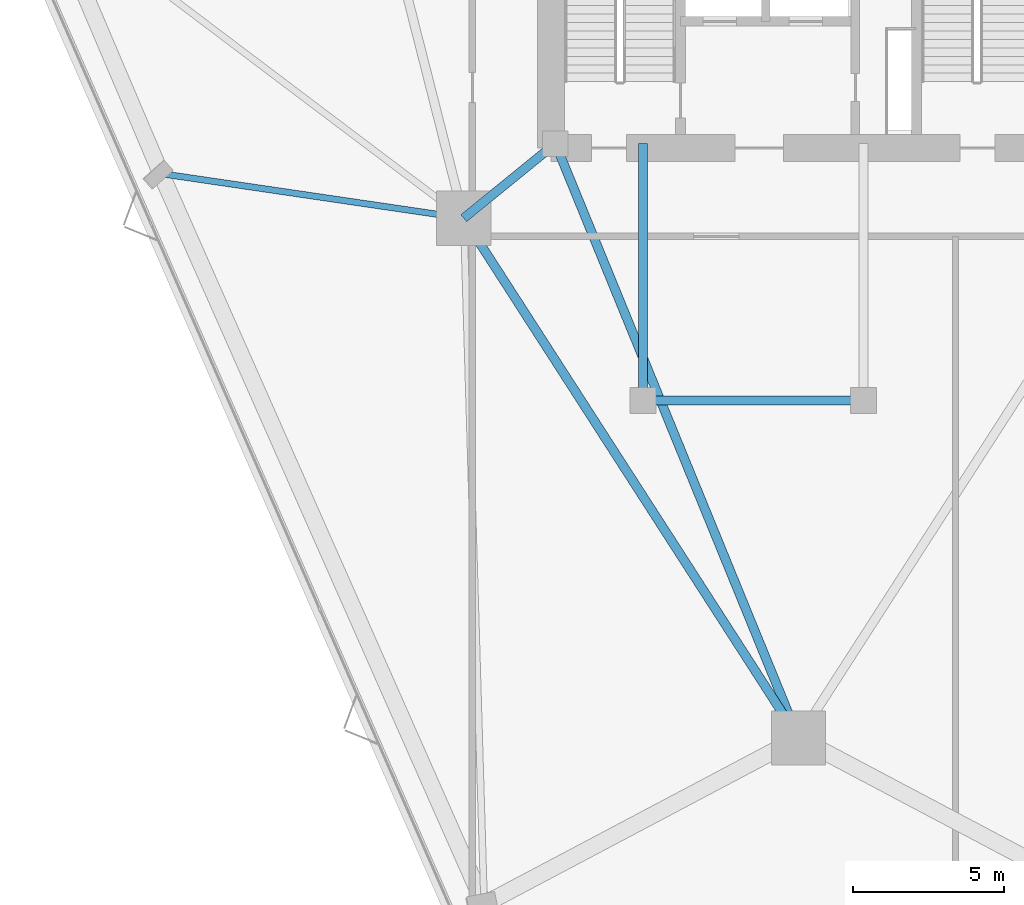
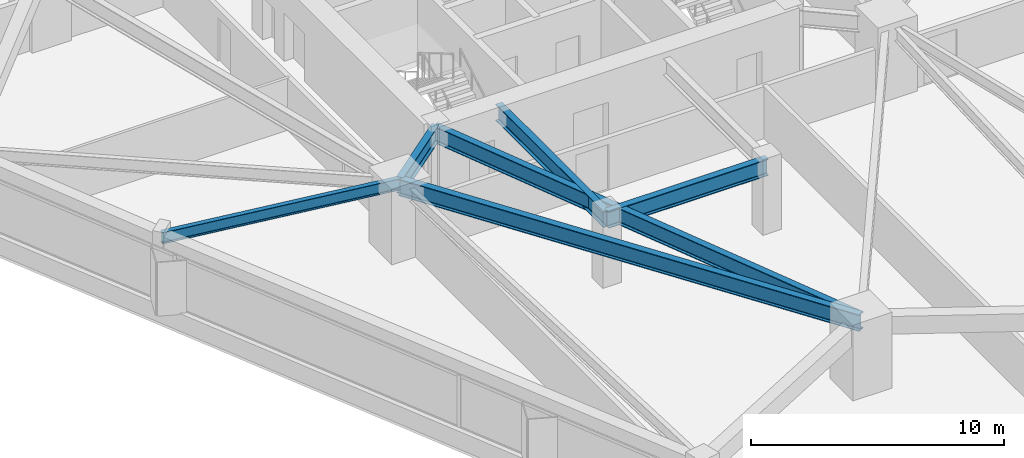
# One storey, part 7 of 21: 6 beams.
"""IFC4 building model written with IfcOpenShell, lengths in metres."""

from ifc_helpers import new_model, si_unit, direction, frame, origin, origin_2d, place, context, subcontext, project, spatial, i_section, extrude, material, material_profile, profile_set, type_object, element, save


model = new_model("IFC4")

# Units and contexts
model_context = context("Model", 3, precision=1e-05, world=origin(), true_north=direction((0.0, 1.0)))
body_context = subcontext(model_context, "Body", "Model", "MODEL_VIEW")
ifc_project = project(units=[si_unit("LENGTHUNIT", "METRE"), si_unit("AREAUNIT", "SQUARE_METRE"), si_unit("VOLUMEUNIT", "CUBIC_METRE"), si_unit("PLANEANGLEUNIT", "RADIAN"), si_unit("MASSUNIT", "GRAM", prefix="KILO")], contexts=[model_context])

# Site, building, storey
site_placement = place(None, origin())
site = spatial("IfcSite", under=ifc_project, at=site_placement, CompositionType="ELEMENT")
building_placement = place(site_placement, origin())
building = spatial("IfcBuilding", under=site, at=building_placement, Name="Talyreon Biosciences Tower", CompositionType="ELEMENT")
storey_placement = place(building_placement, frame((0.0, 0.0, 55.64990234375)))
storey = spatial("IfcBuildingStorey", under=building, at=storey_placement, Name="L14", CompositionType="ELEMENT", Elevation=55.64990234375)

# Beams
ifc_material = material(Name="Steel SM355", Category="steel")
ifc_material_profile_1 = material_profile(ifc_material, i_section(OverallWidth=0.300048828125, OverallDepth=0.800048828125, WebThickness=0.017578125, FlangeThickness=0.032958984375, FilletRadius=0.030029296875, at=origin_2d()), Name="HE800B")
ifc_profile_set_1 = profile_set([ifc_material_profile_1], Name="Steel SM355")
beam_type_1 = type_object("IfcBeamType", Name="SteelGirder_HE800B", PredefinedType="BEAM", material=ifc_profile_set_1)
beam_1_placement = place(storey_placement, frame((54.913818359375, 58.88037109375, 2.97509765625), z_axis=(0.541463723609, -0.840724114092, 0.0), x_axis=(0.840724114092, 0.541463723609, 0.0)))
element("IfcBeam", 1, at=beam_1_placement, inside=storey, type_object=beam_type_1, Name="L14 Mega-Ring Girder 6", PredefinedType="BEAM", context=body_context, shape_type="SweptSolid", body=[
    extrude(i_section(OverallWidth=0.300048828125, OverallDepth=0.800048828125, WebThickness=0.017578125, FlangeThickness=0.032958984375, FilletRadius=0.030029296875, at=origin_2d()), origin(), (0.0, 0.0, 1.0), 20.474365234375),
])
beam_2_placement = place(storey_placement, frame((57.949951171875, 61.35009765625, 2.97509765625), z_axis=(0.378547014545, -0.925582064314, 0.0), x_axis=(0.925582064314, 0.378547014545, 0.0)))
element("IfcBeam", 2, at=beam_2_placement, inside=storey, type_object=beam_type_1, Name="L14 Radial Primary Girder 1", PredefinedType="BEAM", context=body_context, shape_type="SweptSolid", body=[
    extrude(i_section(OverallWidth=0.300048828125, OverallDepth=0.800048828125, WebThickness=0.017578125, FlangeThickness=0.032958984375, FilletRadius=0.030029296875, at=origin_2d()), origin(), (0.0, 0.0, 1.0), 21.265625),
])
beam_3_placement = place(storey_placement, frame((57.949951171875, 61.35009765625, 2.97509765625), z_axis=(-0.775755154013, -0.631034025249, 0.0), x_axis=(0.631034025249, -0.775755154013, 0.0)))
element("IfcBeam", 3, at=beam_3_placement, inside=storey, type_object=beam_type_1, Name="L14 Radial Primary Girder 6", PredefinedType="BEAM", context=body_context, shape_type="SweptSolid", body=[
    extrude(i_section(OverallWidth=0.300048828125, OverallDepth=0.800048828125, WebThickness=0.017578125, FlangeThickness=0.032958984375, FilletRadius=0.030029296875, at=origin_2d()), origin(), (0.0, 0.0, 1.0), 3.913818359375),
])
beam_4_placement = place(storey_placement, frame((60.85009765625, 52.840087890625, 2.97509765625), z_axis=(1.0, 0.0, 0.0), x_axis=(0.0, 1.0, 0.0)))
element("IfcBeam", 4, at=beam_4_placement, inside=storey, type_object=beam_type_1, Name="L14 Crown Shaft Spine Girder S", PredefinedType="BEAM", context=body_context, shape_type="SweptSolid", body=[
    extrude(i_section(OverallWidth=0.300048828125, OverallDepth=0.800048828125, WebThickness=0.017578125, FlangeThickness=0.032958984375, FilletRadius=0.030029296875, at=origin_2d()), origin(), (0.0, 0.0, 1.0), 7.2998046875),
])
beam_5_placement = place(storey_placement, frame((60.85009765625, 52.840087890625, 2.97509765625), z_axis=(0.0, 1.0, 0.0), x_axis=(-1.0, 0.0, 0.0)))
element("IfcBeam", 5, at=beam_5_placement, inside=storey, type_object=beam_type_1, Name="L14 Crown Shaft Tie Girder W", PredefinedType="BEAM", context=body_context, shape_type="SweptSolid", body=[
    extrude(i_section(OverallWidth=0.300048828125, OverallDepth=0.800048828125, WebThickness=0.017578125, FlangeThickness=0.032958984375, FilletRadius=0.030029296875, at=origin_2d()), origin(), (0.0, 0.0, 1.0), 8.510009765625),
])
ifc_material_profile_2 = material_profile(ifc_material, i_section(OverallWidth=0.2099609375, OverallDepth=0.550048828125, WebThickness=0.010986328125, FlangeThickness=0.01708984375, FilletRadius=0.02392578125, at=origin_2d()), Name="IPE550")
ifc_profile_set_2 = profile_set([ifc_material_profile_2], Name="Steel SM355")
beam_type_2 = type_object("IfcBeamType", Name="SteelJoist_IPE550", PredefinedType="JOIST", material=ifc_profile_set_2)
beam_6_placement = place(storey_placement, frame((54.913818359375, 58.88037109375, 3.10009765625), z_axis=(-0.989364338051, 0.14545860783, 0.0), x_axis=(-0.14545860783, -0.989364338051, 0.0)))
element("IfcBeam", 6, at=beam_6_placement, inside=storey, type_object=beam_type_2, Name="L14 Radial Composite Floor Joist PL-SW", PredefinedType="JOIST", context=body_context, shape_type="SweptSolid", body=[
    extrude(i_section(OverallWidth=0.2099609375, OverallDepth=0.550048828125, WebThickness=0.010986328125, FlangeThickness=0.01708984375, FilletRadius=0.02392578125, at=origin_2d()), origin(), (0.0, 0.0, 1.0), 10.130859375),
])

save(model, "model.ifc")
